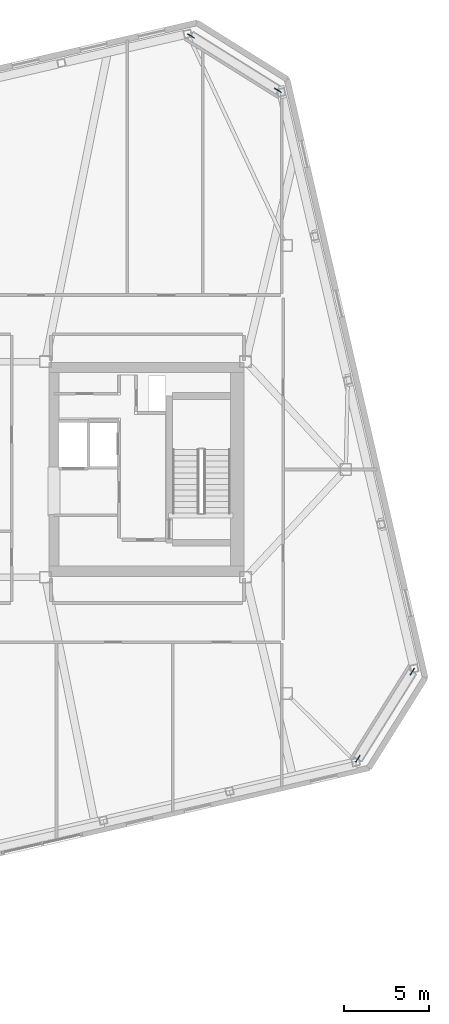
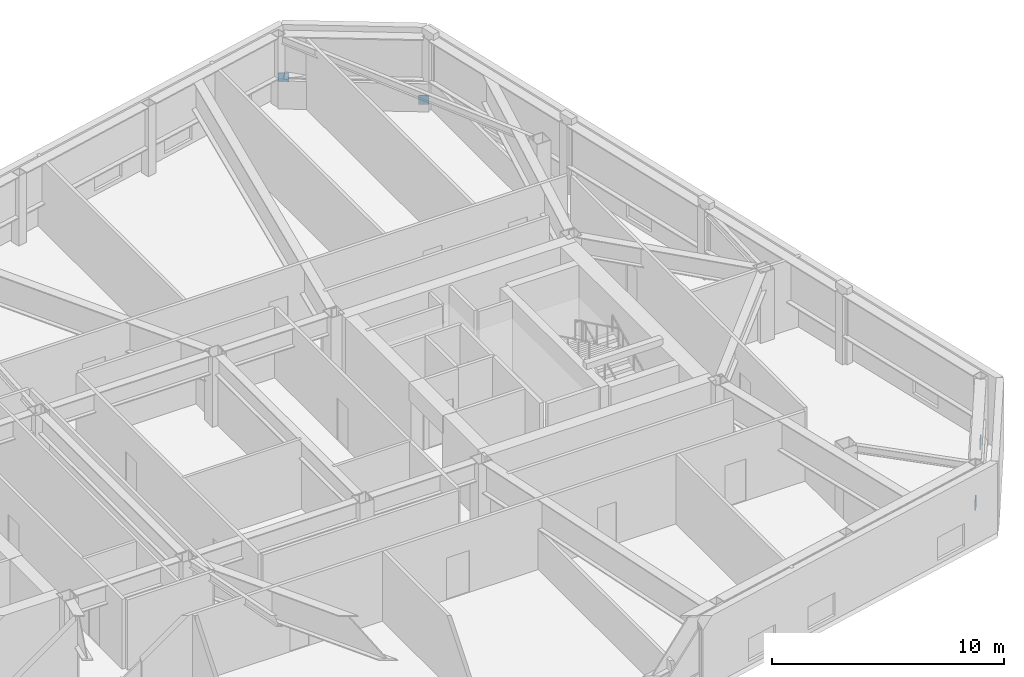
# One storey, part 22 of 23: 4 discrete accessories.
"""IFC4 building model written with IfcOpenShell, lengths in metres."""

import ifcopenshell
import ifcopenshell.guid

model = None  # the IFC model being written
_history = None  # IfcOwnerHistory: only IFC2X3 demands one
_inside = {}  # id of a spatial element -> (the spatial element, [elements in it])
_under = {}  # id of a project, library or spatial element -> (it, [spatial elements below it])
_declared = {}  # id of a project -> (the project, [libraries it declares])
_typed = {}  # id of a type object -> (the type object, [elements of that type])
_made_of = {}  # id of a material, layer set ... -> (it, [elements and type objects made of it])


def new_model(schema):
    """Start an empty IFC model of exactly this schema.

    Asked for "IFC4X3", IfcOpenShell would pick the latest addendum, in which some entities
    have other attributes; the version numbers below select the first issue.
    IFC2X3 requires an IfcOwnerHistory on every rooted entity: one is made here for all.
    """
    global model, _history
    if schema == "IFC4X3":
        model = ifcopenshell.file(schema_version=(4, 3, 0, 0))
    else:
        model = ifcopenshell.file(schema=schema)
    _inside.clear()
    _under.clear()
    _declared.clear()
    _typed.clear()
    _made_of.clear()
    _history = None
    if model.schema == "IFC2X3":
        org = make("IfcOrganization", Name="unknown")
        user = make(
            "IfcPersonAndOrganization",
            ThePerson=make("IfcPerson", FamilyName="unknown"),
            TheOrganization=org,
        )
        app = make(
            "IfcApplication",
            ApplicationDeveloper=org,
            Version="unknown",
            ApplicationFullName="unknown",
            ApplicationIdentifier="unknown",
        )
        _history = make(
            "IfcOwnerHistory",
            OwningUser=user,
            OwningApplication=app,
            ChangeAction="ADDED",
            CreationDate=0,
        )
    return model


def make(cls, **values):
    """One entity of the class cls with the attributes given. An attribute that is None is left unset."""
    return model.create_entity(
        cls, **{name: value for name, value in values.items() if value is not None}
    )


def rooted(cls, **values):
    """An entity with a GlobalId (a new one), such as an element, a storey or a relation."""
    return make(cls, GlobalId=ifcopenshell.guid.new(), OwnerHistory=_history, **values)


def si_unit(unit_type, name, prefix=None):
    """IfcSIUnit, for example si_unit("LENGTHUNIT", "METRE", prefix="MILLI")."""
    return make("IfcSIUnit", UnitType=unit_type, Prefix=prefix, Name=name)


def assignment(units):
    """IfcUnitAssignment: the units of a project."""
    return None if units is None else make("IfcUnitAssignment", Units=units)


def point(xyz):
    """IfcCartesianPoint."""
    return None if xyz is None else make("IfcCartesianPoint", Coordinates=xyz)


def direction(xyz):
    """IfcDirection."""
    return None if xyz is None else make("IfcDirection", DirectionRatios=xyz)


def frame(location, z_axis=None, x_axis=None):
    """IfcAxis2Placement3D, a coordinate frame: its origin and axes. An axis left out is left unset."""
    return make(
        "IfcAxis2Placement3D",
        Location=point(location),
        Axis=direction(z_axis),
        RefDirection=direction(x_axis),
    )


def frame_2d(location, x_axis=None):
    """IfcAxis2Placement2D, a coordinate frame in the plane: its origin and x axis."""
    return make(
        "IfcAxis2Placement2D", Location=point(location), RefDirection=direction(x_axis)
    )


def origin():
    """The frame at (0, 0, 0) with its axes left unset."""
    return frame((0.0, 0.0, 0.0))


def origin_2d():
    """The frame at (0, 0) in the plane with its x axis left unset."""
    return frame_2d((0.0, 0.0))


def place(relative_to, where):
    """IfcLocalPlacement: puts the frame where relative to a parent placement (None: the world)."""
    return make(
        "IfcLocalPlacement", PlacementRelTo=relative_to, RelativePlacement=where
    )


def context(
    kind, dimensions, precision=None, world=None, true_north=None, identifier=None
):
    """IfcGeometricRepresentationContext, for example the 3D "Model" context."""
    return make(
        "IfcGeometricRepresentationContext",
        ContextIdentifier=identifier,
        ContextType=kind,
        CoordinateSpaceDimension=dimensions,
        Precision=precision,
        WorldCoordinateSystem=world,
        TrueNorth=true_north,
    )


def subcontext(parent, identifier, kind, view, scale=None):
    """IfcGeometricRepresentationSubContext, for example "Body" below "Model"."""
    return make(
        "IfcGeometricRepresentationSubContext",
        ContextIdentifier=identifier,
        ContextType=kind,
        ParentContext=parent,
        TargetScale=scale,
        TargetView=view,
    )


def project(units=None, contexts=None):
    """IfcProject with its units and contexts."""
    return rooted(
        "IfcProject",
        Name="project",
        RepresentationContexts=contexts,
        UnitsInContext=assignment(units),
    )


def spatial(cls, under=None, at=None, **own):
    """A site, building, storey or space (cls), placed at a placement, below another one or the project."""
    s = rooted(cls, ObjectPlacement=at, **own)
    if under is not None:
        _under.setdefault(under.id(), (under, []))[1].append(s)
    return s


def profile(cls, at=None, kind="AREA", **sizes):
    """A parametric profile (cls). Its sizes go by their IFC names, for example OverallWidth=200.0."""
    return make(cls, ProfileType=kind, Position=at, **sizes)


def rectangle(**sizes):
    """IfcRectangleProfileDef."""
    return profile("IfcRectangleProfileDef", **sizes)


def extrude(swept, where, along, depth):
    """IfcExtrudedAreaSolid: the profile swept, set in the frame where, extruded along a direction by depth."""
    return make(
        "IfcExtrudedAreaSolid",
        SweptArea=swept,
        Position=where,
        ExtrudedDirection=direction(along),
        Depth=depth,
    )


def shape(context_of_items, identifier, shape_type, items):
    """IfcShapeRepresentation: the items that make up one representation, for example the "Body"."""
    return make(
        "IfcShapeRepresentation",
        ContextOfItems=context_of_items,
        RepresentationIdentifier=identifier,
        RepresentationType=shape_type,
        Items=items,
    )


def material(Name=None, Category=None):
    """IfcMaterial."""
    return make("IfcMaterial", Name=Name, Category=Category)


def made_of(thing, what):
    """Note that an element or type object is made of a material, layer set ...; save() writes the relation."""
    if what is not None:
        _made_of.setdefault(what.id(), (what, []))[1].append(thing)
    return thing


def type_object(cls, material=None, **own):
    """A type object (cls), such as IfcWallType, which elements share."""
    return made_of(rooted(cls, **own), material)


def element(
    cls,
    number,
    at=None,
    inside=None,
    cuts=None,
    type_object=None,
    material=None,
    context=None,
    identifier="Body",
    shape_type=None,
    held_by="IfcProductDefinitionShape",
    body=None,
    shapes=None,
    **own,
):
    """One element of the class cls, such as IfcWall. Its Tag is "e" and its number.

    at: its placement. inside: the storey or other place that contains it. cuts: it is an
    opening in that element (IfcRelVoidsElement). A single representation is given by context,
    identifier, shape_type and body (its items); several are given by shapes. held_by: the class
    of the entity that holds the representations. save() writes the other relations.
    """
    e = rooted(cls, Tag="e%d" % number, ObjectPlacement=at, **own)
    if body is not None:
        shapes = [shape(context, identifier, shape_type, body)]
    if shapes is not None:
        e.Representation = make(held_by, Representations=shapes)
    if inside is not None:
        _inside.setdefault(inside.id(), (inside, []))[1].append(e)
    if cuts is not None:
        rooted(
            "IfcRelVoidsElement", RelatingBuildingElement=cuts, RelatedOpeningElement=e
        )
    if type_object is not None:
        _typed.setdefault(type_object.id(), (type_object, []))[1].append(e)
    return made_of(e, material)


def aggregate(whole, parts):
    """IfcRelAggregates: a whole, such as a stair, and the parts it consists of."""
    return rooted("IfcRelAggregates", RelatingObject=whole, RelatedObjects=parts)


def save(model, path):
    """Write the relations noted so far, then the file.

    IfcRelAggregates (storeys below a building ...), IfcRelContainedInSpatialStructure (elements
    in a storey), IfcRelDefinesByType, IfcRelAssociatesMaterial and IfcRelDeclares: one each for
    every whole, place, type object, material and project.
    """
    for whole, parts in _under.values():
        aggregate(whole, parts)
    for where, things in _inside.values():
        rooted(
            "IfcRelContainedInSpatialStructure",
            RelatedElements=things,
            RelatingStructure=where,
        )
    for kind, things in _typed.values():
        rooted("IfcRelDefinesByType", RelatedObjects=things, RelatingType=kind)
    for what, things in _made_of.values():
        rooted("IfcRelAssociatesMaterial", RelatedObjects=things, RelatingMaterial=what)
    for by, libraries in _declared.values():
        rooted("IfcRelDeclares", RelatingContext=by, RelatedDefinitions=libraries)
    model.write(path)


model = new_model("IFC4")

# Units and contexts
model_context = context("Model", 3, precision=1e-05, world=origin(), true_north=direction((0.0, 1.0)))
body_context = subcontext(model_context, "Body", "Model", "MODEL_VIEW")
ifc_project = project(units=[si_unit("LENGTHUNIT", "METRE"), si_unit("AREAUNIT", "SQUARE_METRE"), si_unit("VOLUMEUNIT", "CUBIC_METRE"), si_unit("PLANEANGLEUNIT", "RADIAN"), si_unit("MASSUNIT", "GRAM", prefix="KILO")], contexts=[model_context])

# Site, building, storey
site_placement = place(None, origin())
site = spatial("IfcSite", under=ifc_project, at=site_placement, CompositionType="ELEMENT")
building_placement = place(site_placement, origin())
building = spatial("IfcBuilding", under=site, at=building_placement, Name="Tavrogorsk Clinical Tower", CompositionType="ELEMENT")
storey_placement = place(building_placement, frame((0.0, 0.0, 329.0)))
storey = spatial("IfcBuildingStorey", under=building, at=storey_placement, Name="L77", CompositionType="ELEMENT", Elevation=329.0)

# Discrete accessories
ifc_material = material(Name="Structural steel S440", Category="steel")
discrete_accessory_type = type_object("IfcDiscreteAccessoryType", Name="GussetPlateBracket_25", PredefinedType="BRACKET", material=ifc_material)
for number, where, z_axis, x_axis, name in (
    (1, (31.914306640625, -11.9228515625, 0.10986328125), (0.0, 0.0, 1.0), (-0.529919264233, -0.848048096156, 0.0), "L77 Brace Gusset Plate EXOCRN-L77-1-A"),
    (2, (28.710205078125, -17.05029296875, 1.16015625), (0.0, 0.0, 1.0), (-0.529919264233, -0.848048096156, 0.0), "L77 Brace Gusset Plate EXOCRN-L77-1-B"),
    (3, (24.00390625, 22.340576171875, 0.10986328125), (0.0, 0.0, 1.0), (-0.848048096156, 0.529919264233, 0.0), "L77 Brace Gusset Plate EXOCRN-L77-2-A"),
    (4, (18.87646484375, 25.544677734375, 1.16015625), (0.0, 0.0, 1.0), (-0.848048096156, 0.529919264233, 0.0), "L77 Brace Gusset Plate EXOCRN-L77-2-B"),
):
    element("IfcDiscreteAccessory", number, at=place(storey_placement, frame(where, z_axis=z_axis, x_axis=x_axis)), inside=storey, type_object=discrete_accessory_type, Name=name, PredefinedType="BRACKET", context=body_context, shape_type="SweptSolid", body=[
        extrude(rectangle(XDim=0.4599609375, YDim=0.0400390625, at=origin_2d()), origin(), (0.0, 0.0, 1.0), 0.4599609375),
    ])

save(model, "model.ifc")
